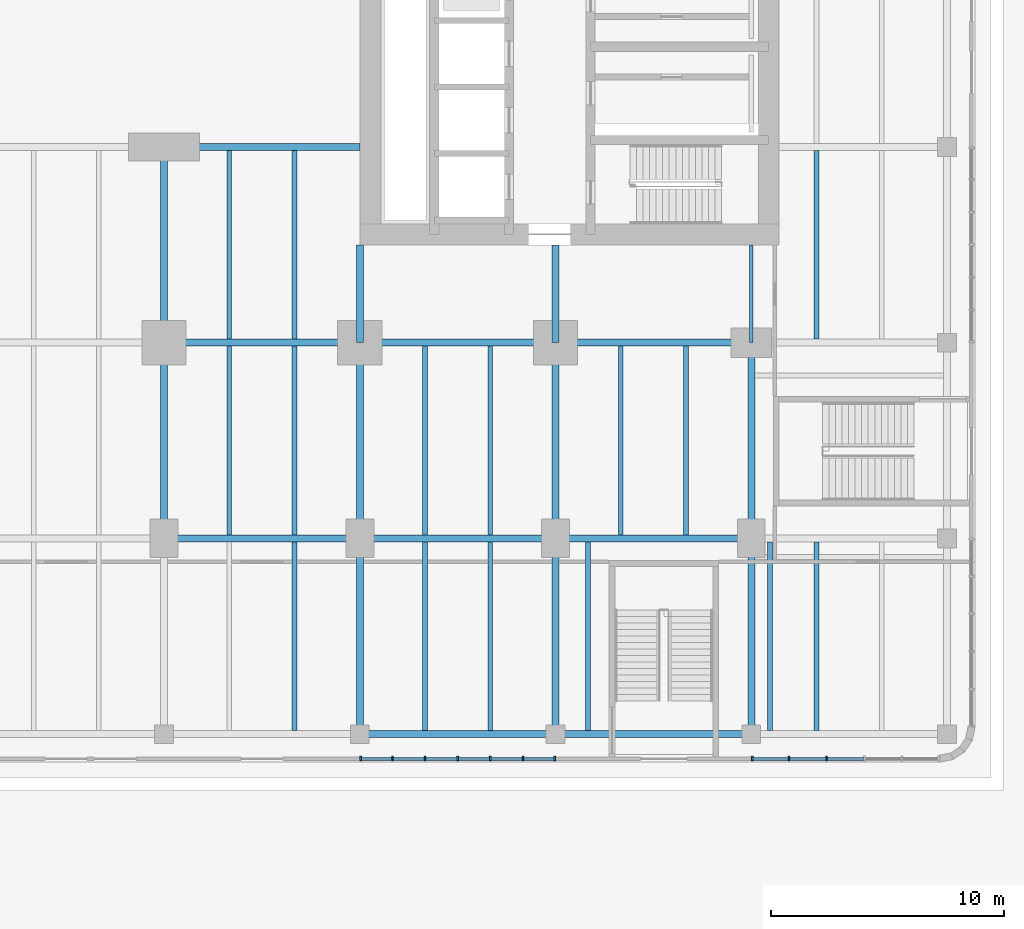
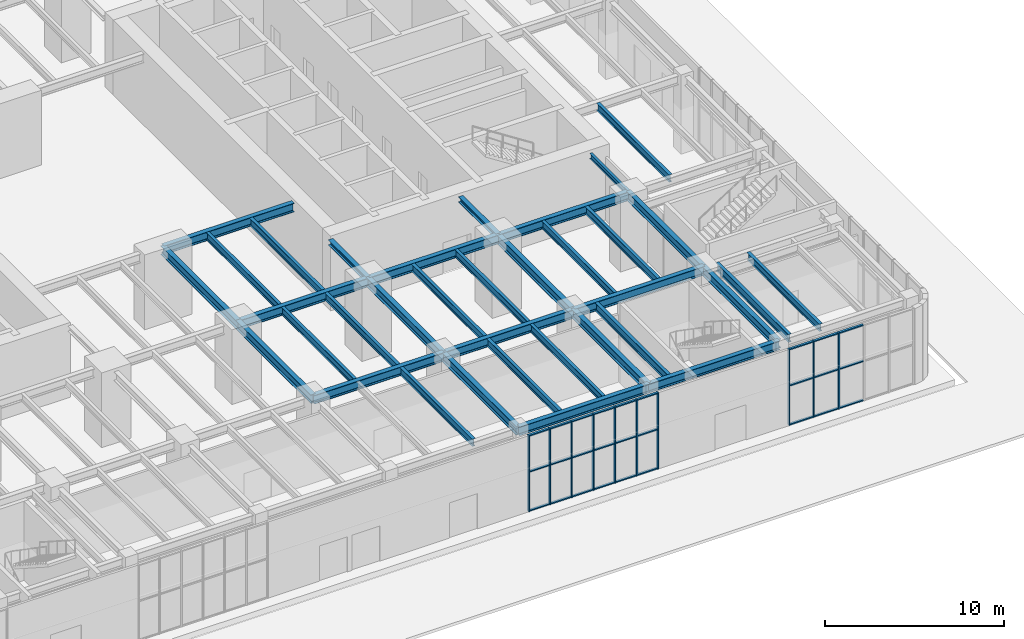
# One storey, part 5 of 31: 37 members, 35 beams, 2 elements without a shape of their own.
"""IFC4 building model written with IfcOpenShell, lengths in metres."""

import ifcopenshell
import ifcopenshell.guid

model = None  # the IFC model being written
_history = None  # IfcOwnerHistory: only IFC2X3 demands one
_inside = {}  # id of a spatial element -> (the spatial element, [elements in it])
_under = {}  # id of a project, library or spatial element -> (it, [spatial elements below it])
_declared = {}  # id of a project -> (the project, [libraries it declares])
_typed = {}  # id of a type object -> (the type object, [elements of that type])
_made_of = {}  # id of a material, layer set ... -> (it, [elements and type objects made of it])


def new_model(schema):
    """Start an empty IFC model of exactly this schema.

    Asked for "IFC4X3", IfcOpenShell would pick the latest addendum, in which some entities
    have other attributes; the version numbers below select the first issue.
    IFC2X3 requires an IfcOwnerHistory on every rooted entity: one is made here for all.
    """
    global model, _history
    if schema == "IFC4X3":
        model = ifcopenshell.file(schema_version=(4, 3, 0, 0))
    else:
        model = ifcopenshell.file(schema=schema)
    _inside.clear()
    _under.clear()
    _declared.clear()
    _typed.clear()
    _made_of.clear()
    _history = None
    if model.schema == "IFC2X3":
        org = make("IfcOrganization", Name="unknown")
        user = make(
            "IfcPersonAndOrganization",
            ThePerson=make("IfcPerson", FamilyName="unknown"),
            TheOrganization=org,
        )
        app = make(
            "IfcApplication",
            ApplicationDeveloper=org,
            Version="unknown",
            ApplicationFullName="unknown",
            ApplicationIdentifier="unknown",
        )
        _history = make(
            "IfcOwnerHistory",
            OwningUser=user,
            OwningApplication=app,
            ChangeAction="ADDED",
            CreationDate=0,
        )
    return model


def make(cls, **values):
    """One entity of the class cls with the attributes given. An attribute that is None is left unset."""
    return model.create_entity(
        cls, **{name: value for name, value in values.items() if value is not None}
    )


def rooted(cls, **values):
    """An entity with a GlobalId (a new one), such as an element, a storey or a relation."""
    return make(cls, GlobalId=ifcopenshell.guid.new(), OwnerHistory=_history, **values)


def si_unit(unit_type, name, prefix=None):
    """IfcSIUnit, for example si_unit("LENGTHUNIT", "METRE", prefix="MILLI")."""
    return make("IfcSIUnit", UnitType=unit_type, Prefix=prefix, Name=name)


def assignment(units):
    """IfcUnitAssignment: the units of a project."""
    return None if units is None else make("IfcUnitAssignment", Units=units)


def point(xyz):
    """IfcCartesianPoint."""
    return None if xyz is None else make("IfcCartesianPoint", Coordinates=xyz)


def direction(xyz):
    """IfcDirection."""
    return None if xyz is None else make("IfcDirection", DirectionRatios=xyz)


def frame(location, z_axis=None, x_axis=None):
    """IfcAxis2Placement3D, a coordinate frame: its origin and axes. An axis left out is left unset."""
    return make(
        "IfcAxis2Placement3D",
        Location=point(location),
        Axis=direction(z_axis),
        RefDirection=direction(x_axis),
    )


def frame_2d(location, x_axis=None):
    """IfcAxis2Placement2D, a coordinate frame in the plane: its origin and x axis."""
    return make(
        "IfcAxis2Placement2D", Location=point(location), RefDirection=direction(x_axis)
    )


def origin():
    """The frame at (0, 0, 0) with its axes left unset."""
    return frame((0.0, 0.0, 0.0))


def origin_2d():
    """The frame at (0, 0) in the plane with its x axis left unset."""
    return frame_2d((0.0, 0.0))


def place(relative_to, where):
    """IfcLocalPlacement: puts the frame where relative to a parent placement (None: the world)."""
    return make(
        "IfcLocalPlacement", PlacementRelTo=relative_to, RelativePlacement=where
    )


def context(
    kind, dimensions, precision=None, world=None, true_north=None, identifier=None
):
    """IfcGeometricRepresentationContext, for example the 3D "Model" context."""
    return make(
        "IfcGeometricRepresentationContext",
        ContextIdentifier=identifier,
        ContextType=kind,
        CoordinateSpaceDimension=dimensions,
        Precision=precision,
        WorldCoordinateSystem=world,
        TrueNorth=true_north,
    )


def subcontext(parent, identifier, kind, view, scale=None):
    """IfcGeometricRepresentationSubContext, for example "Body" below "Model"."""
    return make(
        "IfcGeometricRepresentationSubContext",
        ContextIdentifier=identifier,
        ContextType=kind,
        ParentContext=parent,
        TargetScale=scale,
        TargetView=view,
    )


def project(units=None, contexts=None):
    """IfcProject with its units and contexts."""
    return rooted(
        "IfcProject",
        Name="project",
        RepresentationContexts=contexts,
        UnitsInContext=assignment(units),
    )


def spatial(cls, under=None, at=None, **own):
    """A site, building, storey or space (cls), placed at a placement, below another one or the project."""
    s = rooted(cls, ObjectPlacement=at, **own)
    if under is not None:
        _under.setdefault(under.id(), (under, []))[1].append(s)
    return s


def profile(cls, at=None, kind="AREA", **sizes):
    """A parametric profile (cls). Its sizes go by their IFC names, for example OverallWidth=200.0."""
    return make(cls, ProfileType=kind, Position=at, **sizes)


def rectangle(**sizes):
    """IfcRectangleProfileDef."""
    return profile("IfcRectangleProfileDef", **sizes)


def i_section(**sizes):
    """IfcIShapeProfileDef."""
    return profile("IfcIShapeProfileDef", **sizes)


def extrude(swept, where, along, depth):
    """IfcExtrudedAreaSolid: the profile swept, set in the frame where, extruded along a direction by depth."""
    return make(
        "IfcExtrudedAreaSolid",
        SweptArea=swept,
        Position=where,
        ExtrudedDirection=direction(along),
        Depth=depth,
    )


def shape(context_of_items, identifier, shape_type, items):
    """IfcShapeRepresentation: the items that make up one representation, for example the "Body"."""
    return make(
        "IfcShapeRepresentation",
        ContextOfItems=context_of_items,
        RepresentationIdentifier=identifier,
        RepresentationType=shape_type,
        Items=items,
    )


def material(Name=None, Category=None):
    """IfcMaterial."""
    return make("IfcMaterial", Name=Name, Category=Category)


def material_profile(
    of_material, cross_section, Name=None, Category=None, Priority=None
):
    """IfcMaterialProfile: a cross section and its material."""
    return make(
        "IfcMaterialProfile",
        Name=Name,
        Material=of_material,
        Profile=cross_section,
        Priority=Priority,
        Category=Category,
    )


def profile_set(profiles, Name=None, composite=None):
    """IfcMaterialProfileSet."""
    return make(
        "IfcMaterialProfileSet",
        Name=Name,
        MaterialProfiles=profiles,
        CompositeProfile=composite,
    )


def made_of(thing, what):
    """Note that an element or type object is made of a material, layer set ...; save() writes the relation."""
    if what is not None:
        _made_of.setdefault(what.id(), (what, []))[1].append(thing)
    return thing


def type_object(cls, material=None, **own):
    """A type object (cls), such as IfcWallType, which elements share."""
    return made_of(rooted(cls, **own), material)


def element(
    cls,
    number,
    at=None,
    inside=None,
    cuts=None,
    type_object=None,
    material=None,
    context=None,
    identifier="Body",
    shape_type=None,
    held_by="IfcProductDefinitionShape",
    body=None,
    shapes=None,
    **own,
):
    """One element of the class cls, such as IfcWall. Its Tag is "e" and its number.

    at: its placement. inside: the storey or other place that contains it. cuts: it is an
    opening in that element (IfcRelVoidsElement). A single representation is given by context,
    identifier, shape_type and body (its items); several are given by shapes. held_by: the class
    of the entity that holds the representations. save() writes the other relations.
    """
    e = rooted(cls, Tag="e%d" % number, ObjectPlacement=at, **own)
    if body is not None:
        shapes = [shape(context, identifier, shape_type, body)]
    if shapes is not None:
        e.Representation = make(held_by, Representations=shapes)
    if inside is not None:
        _inside.setdefault(inside.id(), (inside, []))[1].append(e)
    if cuts is not None:
        rooted(
            "IfcRelVoidsElement", RelatingBuildingElement=cuts, RelatedOpeningElement=e
        )
    if type_object is not None:
        _typed.setdefault(type_object.id(), (type_object, []))[1].append(e)
    return made_of(e, material)


def aggregate(whole, parts):
    """IfcRelAggregates: a whole, such as a stair, and the parts it consists of."""
    return rooted("IfcRelAggregates", RelatingObject=whole, RelatedObjects=parts)


def save(model, path):
    """Write the relations noted so far, then the file.

    IfcRelAggregates (storeys below a building ...), IfcRelContainedInSpatialStructure (elements
    in a storey), IfcRelDefinesByType, IfcRelAssociatesMaterial and IfcRelDeclares: one each for
    every whole, place, type object, material and project.
    """
    for whole, parts in _under.values():
        aggregate(whole, parts)
    for where, things in _inside.values():
        rooted(
            "IfcRelContainedInSpatialStructure",
            RelatedElements=things,
            RelatingStructure=where,
        )
    for kind, things in _typed.values():
        rooted("IfcRelDefinesByType", RelatedObjects=things, RelatingType=kind)
    for what, things in _made_of.values():
        rooted("IfcRelAssociatesMaterial", RelatedObjects=things, RelatingMaterial=what)
    for by, libraries in _declared.values():
        rooted("IfcRelDeclares", RelatingContext=by, RelatedDefinitions=libraries)
    model.write(path)


model = new_model("IFC4")

# Units and contexts
model_context = context("Model", 3, precision=1e-05, world=origin(), true_north=direction((0.0, 1.0)))
body_context = subcontext(model_context, "Body", "Model", "MODEL_VIEW")
ifc_project = project(units=[si_unit("LENGTHUNIT", "METRE"), si_unit("AREAUNIT", "SQUARE_METRE"), si_unit("VOLUMEUNIT", "CUBIC_METRE"), si_unit("PLANEANGLEUNIT", "RADIAN"), si_unit("MASSUNIT", "GRAM", prefix="KILO")], contexts=[model_context])

# Site, building, storey
site_placement = place(None, origin())
site = spatial("IfcSite", under=ifc_project, at=site_placement, CompositionType="ELEMENT")
building_placement = place(site_placement, origin())
building = spatial("IfcBuilding", under=site, at=building_placement, Name="Claustro Exchange Tower", CompositionType="ELEMENT")
storey_placement = place(building_placement, origin())
storey = spatial("IfcBuildingStorey", under=building, at=storey_placement, Name="L00", CompositionType="ELEMENT", Elevation=0.0)

# Beams
ifc_material_1 = material(Name="Steel S355", Category="steel")
ifc_material_profile_1 = material_profile(ifc_material_1, i_section(OverallWidth=0.300048828125, OverallDepth=0.60009765625, WebThickness=0.015380859375, FlangeThickness=0.030029296875, FilletRadius=0.027099609375, at=origin_2d()), Name="HE 600 B")
ifc_profile_set_1 = profile_set([ifc_material_profile_1], Name="Steel S355")
beam_type_1 = type_object("IfcBeamType", Name="B1 HE 600 B floor girder", PredefinedType="BEAM", material=ifc_profile_set_1)
beam_1_placement = place(storey_placement, frame((25.199951171875, 0.0, 4.89990234375), z_axis=(0.0, 1.0, 0.0), x_axis=(-1.0, 0.0, 0.0)))
element("IfcBeam", 1, at=beam_1_placement, inside=storey, type_object=beam_type_1, Name="Beam B1 L01", PredefinedType="BEAM", context=body_context, shape_type="SweptSolid", body=[
    extrude(i_section(OverallWidth=0.300048828125, OverallDepth=0.60009765625, WebThickness=0.015380859375, FlangeThickness=0.030029296875, FilletRadius=0.027099609375, at=origin_2d()), origin(), (0.0, 0.0, 1.0), 8.39990234375),
])
beam_2_placement = place(storey_placement, frame((25.199951171875, 8.39990234375, 4.89990234375), z_axis=(0.0, 1.0, 0.0), x_axis=(-1.0, 0.0, 0.0)))
element("IfcBeam", 2, at=beam_2_placement, inside=storey, type_object=beam_type_1, Name="Beam B1 L01", PredefinedType="BEAM", context=body_context, shape_type="SweptSolid", body=[
    extrude(i_section(OverallWidth=0.300048828125, OverallDepth=0.60009765625, WebThickness=0.015380859375, FlangeThickness=0.030029296875, FilletRadius=0.027099609375, at=origin_2d()), origin(), (0.0, 0.0, 1.0), 8.400146484375),
])
for number, where, z_axis, x_axis, name in (
    (3, (33.60009765625, -8.39990234375, 4.89990234375), (0.0, 1.0, 0.0), (-1.0, 0.0, 0.0), "Beam B1 L01"),
    (4, (33.60009765625, 0.0, 4.89990234375), (0.0, 1.0, 0.0), (-1.0, 0.0, 0.0), "Beam B1 L01"),
    (5, (42.0, -8.39990234375, 4.89990234375), (0.0, 1.0, 0.0), (-1.0, 0.0, 0.0), "Beam B1 L01"),
    (6, (42.0, 0.0, 4.89990234375), (0.0, 1.0, 0.0), (-1.0, 0.0, 0.0), "Beam B1 L01"),
    (7, (50.39990234375, -8.39990234375, 4.89990234375), (0.0, 1.0, 0.0), (-1.0, 0.0, 0.0), "Beam B1 L01"),
    (8, (50.39990234375, 0.0, 4.89990234375), (0.0, 1.0, 0.0), (-1.0, 0.0, 0.0), "Beam B1 L01"),
    (9, (33.60009765625, -8.39990234375, 4.89990234375), (1.0, 0.0, 0.0), (0.0, 1.0, 0.0), "Beam B1 L01"),
    (10, (42.0, -8.39990234375, 4.89990234375), (1.0, 0.0, 0.0), (0.0, 1.0, 0.0), "Beam B1 L01"),
):
    element("IfcBeam", number, at=place(storey_placement, frame(where, z_axis=z_axis, x_axis=x_axis)), inside=storey, type_object=beam_type_1, Name=name, PredefinedType="BEAM", context=body_context, shape_type="SweptSolid", body=[
        extrude(i_section(OverallWidth=0.300048828125, OverallDepth=0.60009765625, WebThickness=0.015380859375, FlangeThickness=0.030029296875, FilletRadius=0.027099609375, at=origin_2d()), origin(), (0.0, 0.0, 1.0), 8.39990234375),
    ])
beam_3_placement = place(storey_placement, frame((25.199951171875, 0.0, 4.89990234375), z_axis=(1.0, 0.0, 0.0), x_axis=(0.0, 1.0, 0.0)))
element("IfcBeam", 11, at=beam_3_placement, inside=storey, type_object=beam_type_1, Name="Beam B1 L01", PredefinedType="BEAM", context=body_context, shape_type="SweptSolid", body=[
    extrude(i_section(OverallWidth=0.300048828125, OverallDepth=0.60009765625, WebThickness=0.015380859375, FlangeThickness=0.030029296875, FilletRadius=0.027099609375, at=origin_2d()), origin(), (0.0, 0.0, 1.0), 8.400146484375),
])
for number, where, z_axis, x_axis, name in (
    (12, (33.60009765625, 0.0, 4.89990234375), (1.0, 0.0, 0.0), (0.0, 1.0, 0.0), "Beam B1 L01"),
    (13, (42.0, 0.0, 4.89990234375), (1.0, 0.0, 0.0), (0.0, 1.0, 0.0), "Beam B1 L01"),
):
    element("IfcBeam", number, at=place(storey_placement, frame(where, z_axis=z_axis, x_axis=x_axis)), inside=storey, type_object=beam_type_1, Name=name, PredefinedType="BEAM", context=body_context, shape_type="SweptSolid", body=[
        extrude(i_section(OverallWidth=0.300048828125, OverallDepth=0.60009765625, WebThickness=0.015380859375, FlangeThickness=0.030029296875, FilletRadius=0.027099609375, at=origin_2d()), origin(), (0.0, 0.0, 1.0), 8.39990234375),
    ])
beam_4_placement = place(storey_placement, frame((25.199951171875, 8.39990234375, 4.89990234375), z_axis=(1.0, 0.0, 0.0), x_axis=(0.0, 1.0, 0.0)))
element("IfcBeam", 14, at=beam_4_placement, inside=storey, type_object=beam_type_1, Name="Beam B1 L01", PredefinedType="BEAM", context=body_context, shape_type="SweptSolid", body=[
    extrude(i_section(OverallWidth=0.300048828125, OverallDepth=0.60009765625, WebThickness=0.015380859375, FlangeThickness=0.030029296875, FilletRadius=0.027099609375, at=origin_2d()), origin(), (0.0, 0.0, 1.0), 8.400146484375),
])
for number, where, z_axis, x_axis, name in (
    (15, (33.60009765625, 8.39990234375, 4.89990234375), (1.0, 0.0, 0.0), (0.0, 1.0, 0.0), "Beam B1 L01"),
    (16, (42.0, 8.39990234375, 4.89990234375), (1.0, 0.0, 0.0), (0.0, 1.0, 0.0), "Beam B1 L01"),
):
    element("IfcBeam", number, at=place(storey_placement, frame(where, z_axis=z_axis, x_axis=x_axis)), inside=storey, type_object=beam_type_1, Name=name, PredefinedType="BEAM", context=body_context, shape_type="SweptSolid", body=[
        extrude(i_section(OverallWidth=0.300048828125, OverallDepth=0.60009765625, WebThickness=0.015380859375, FlangeThickness=0.030029296875, FilletRadius=0.027099609375, at=origin_2d()), origin(), (0.0, 0.0, 1.0), 8.39990234375),
    ])
beam_5_placement = place(storey_placement, frame((25.199951171875, 16.800048828125, 4.89990234375), z_axis=(1.0, 0.0, 0.0), x_axis=(0.0, 1.0, 0.0)))
element("IfcBeam", 17, at=beam_5_placement, inside=storey, type_object=beam_type_1, Name="Beam B1 L01", PredefinedType="BEAM", context=body_context, shape_type="SweptSolid", body=[
    extrude(i_section(OverallWidth=0.300048828125, OverallDepth=0.60009765625, WebThickness=0.015380859375, FlangeThickness=0.030029296875, FilletRadius=0.027099609375, at=origin_2d()), origin(), (0.0, 0.0, 1.0), 8.400146484375),
])
ifc_material_2 = material(Name="Steel S355", Category="steel")
ifc_material_profile_2 = material_profile(ifc_material_2, i_section(OverallWidth=0.169921875, OverallDepth=0.360107421875, WebThickness=0.008056640625, FlangeThickness=0.0126953125, FilletRadius=0.01806640625, at=origin_2d()), Name="IPE 360")
ifc_profile_set_2 = profile_set([ifc_material_profile_2], Name="Steel S355")
beam_type_2 = type_object("IfcBeamType", Name="B16 IPE 360 short-span beam", PredefinedType="BEAM", material=ifc_profile_set_2)
beam_6_placement = place(storey_placement, frame((50.39990234375, 8.39990234375, 5.02001953125), z_axis=(0.0, 1.0, 0.0), x_axis=(-1.0, 0.0, 0.0)))
element("IfcBeam", 18, at=beam_6_placement, inside=storey, type_object=beam_type_2, Name="Beam B16 L01", PredefinedType="BEAM", context=body_context, shape_type="SweptSolid", body=[
    extrude(i_section(OverallWidth=0.169921875, OverallDepth=0.360107421875, WebThickness=0.008056640625, FlangeThickness=0.0126953125, FilletRadius=0.01806640625, at=origin_2d()), origin(), (0.0, 0.0, 1.0), 4.2001953125),
])
ifc_material_3 = material(Name="Steel S355", Category="steel")
ifc_material_profile_3 = material_profile(ifc_material_3, i_section(OverallWidth=0.199951171875, OverallDepth=0.5, WebThickness=0.01025390625, FlangeThickness=0.01611328125, FilletRadius=0.02099609375, at=origin_2d()), Name="IPE 500")
ifc_profile_set_3 = profile_set([ifc_material_profile_3], Name="Steel S355")
beam_type_3 = type_object("IfcBeamType", Name="B2 IPE 500 secondary beam", PredefinedType="BEAM", material=ifc_profile_set_3)
for number, where, z_axis, x_axis, name in (
    (19, (30.800048828125, -8.25, 4.949951171875), (0.0, 1.0, 0.0), (-1.0, 0.0, 0.0), "Beam B2 L01"),
    (20, (28.0, 0.14990234375, 4.949951171875), (0.0, 1.0, 0.0), (-1.0, 0.0, 0.0), "Beam B2 L01"),
    (21, (30.800048828125, 0.14990234375, 4.949951171875), (0.0, 1.0, 0.0), (-1.0, 0.0, 0.0), "Beam B2 L01"),
):
    element("IfcBeam", number, at=place(storey_placement, frame(where, z_axis=z_axis, x_axis=x_axis)), inside=storey, type_object=beam_type_3, Name=name, PredefinedType="BEAM", context=body_context, shape_type="SweptSolid", body=[
        extrude(i_section(OverallWidth=0.199951171875, OverallDepth=0.5, WebThickness=0.01025390625, FlangeThickness=0.01611328125, FilletRadius=0.02099609375, at=origin_2d()), origin(), (0.0, 0.0, 1.0), 8.10009765625),
    ])
for number, where, z_axis, x_axis, name in (
    (22, (28.0, 8.550048828125, 4.949951171875), (0.0, 1.0, 0.0), (-1.0, 0.0, 0.0), "Beam B2 L01"),
    (23, (30.800048828125, 8.550048828125, 4.949951171875), (0.0, 1.0, 0.0), (-1.0, 0.0, 0.0), "Beam B2 L01"),
):
    element("IfcBeam", number, at=place(storey_placement, frame(where, z_axis=z_axis, x_axis=x_axis)), inside=storey, type_object=beam_type_3, Name=name, PredefinedType="BEAM", context=body_context, shape_type="SweptSolid", body=[
        extrude(i_section(OverallWidth=0.199951171875, OverallDepth=0.5, WebThickness=0.01025390625, FlangeThickness=0.01611328125, FilletRadius=0.02099609375, at=origin_2d()), origin(), (0.0, 0.0, 1.0), 8.099853515625),
    ])
for number, where, z_axis, x_axis, name in (
    (24, (36.39990234375, -8.25, 4.949951171875), (0.0, 1.0, 0.0), (-1.0, 0.0, 0.0), "Beam B2 L01"),
    (25, (39.199951171875, -8.25, 4.949951171875), (0.0, 1.0, 0.0), (-1.0, 0.0, 0.0), "Beam B2 L01"),
    (26, (36.39990234375, 0.14990234375, 4.949951171875), (0.0, 1.0, 0.0), (-1.0, 0.0, 0.0), "Beam B2 L01"),
    (27, (39.199951171875, 0.14990234375, 4.949951171875), (0.0, 1.0, 0.0), (-1.0, 0.0, 0.0), "Beam B2 L01"),
    (28, (44.800048828125, 0.14990234375, 4.949951171875), (0.0, 1.0, 0.0), (-1.0, 0.0, 0.0), "Beam B2 L01"),
    (29, (47.60009765625, 0.14990234375, 4.949951171875), (0.0, 1.0, 0.0), (-1.0, 0.0, 0.0), "Beam B2 L01"),
    (30, (53.199951171875, -8.25, 4.949951171875), (0.0, 1.0, 0.0), (-1.0, 0.0, 0.0), "Beam B2 L01"),
):
    element("IfcBeam", number, at=place(storey_placement, frame(where, z_axis=z_axis, x_axis=x_axis)), inside=storey, type_object=beam_type_3, Name=name, PredefinedType="BEAM", context=body_context, shape_type="SweptSolid", body=[
        extrude(i_section(OverallWidth=0.199951171875, OverallDepth=0.5, WebThickness=0.01025390625, FlangeThickness=0.01611328125, FilletRadius=0.02099609375, at=origin_2d()), origin(), (0.0, 0.0, 1.0), 8.10009765625),
    ])
beam_7_placement = place(storey_placement, frame((53.199951171875, 8.550048828125, 4.949951171875), z_axis=(0.0, 1.0, 0.0), x_axis=(-1.0, 0.0, 0.0)))
element("IfcBeam", 31, at=beam_7_placement, inside=storey, type_object=beam_type_3, Name="Beam B2 L01", PredefinedType="BEAM", context=body_context, shape_type="SweptSolid", body=[
    extrude(i_section(OverallWidth=0.199951171875, OverallDepth=0.5, WebThickness=0.01025390625, FlangeThickness=0.01611328125, FilletRadius=0.02099609375, at=origin_2d()), origin(), (0.0, 0.0, 1.0), 8.099853515625),
])
ifc_material_4 = material(Name="Steel S355", Category="steel")
ifc_material_profile_4 = material_profile(ifc_material_4, i_section(OverallWidth=0.2099609375, OverallDepth=0.550048828125, WebThickness=0.010986328125, FlangeThickness=0.01708984375, FilletRadius=0.02392578125, at=origin_2d()), Name="IPE 550")
ifc_profile_set_4 = profile_set([ifc_material_profile_4], Name="Steel S355")
beam_type_4 = type_object("IfcBeamType", Name="B28 IPE 550 podium stair trimmer", PredefinedType="BEAM", material=ifc_profile_set_4)
for number, where, z_axis, x_axis, name in (
    (32, (43.39990234375, -8.25, 4.925048828125), (0.0, 1.0, 0.0), (-1.0, 0.0, 0.0), "Beam B28 trimmer STP2 L01"),
    (33, (51.199951171875, -8.25, 4.925048828125), (0.0, 1.0, 0.0), (-1.0, 0.0, 0.0), "Beam B28 trimmer STP2 L01"),
):
    element("IfcBeam", number, at=place(storey_placement, frame(where, z_axis=z_axis, x_axis=x_axis)), inside=storey, type_object=beam_type_4, Name=name, PredefinedType="BEAM", context=body_context, shape_type="SweptSolid", body=[
        extrude(i_section(OverallWidth=0.2099609375, OverallDepth=0.550048828125, WebThickness=0.010986328125, FlangeThickness=0.01708984375, FilletRadius=0.02392578125, at=origin_2d()), origin(), (0.0, 0.0, 1.0), 8.10009765625),
    ])
ifc_material_5 = material(Name="Steel S355", Category="steel")
ifc_material_profile_5 = material_profile(ifc_material_5, i_section(OverallWidth=0.300048828125, OverallDepth=0.360107421875, WebThickness=0.012451171875, FlangeThickness=0.0224609375, FilletRadius=0.027099609375, at=origin_2d()), Name="HE 360 B")
ifc_profile_set_5 = profile_set([ifc_material_profile_5], Name="Steel S355")
beam_type_5 = type_object("IfcBeamType", Name="B29 HE 360 B column to core link beam", PredefinedType="BEAM", material=ifc_profile_set_5)
for number, where, z_axis, x_axis, name in (
    (34, (33.60009765625, 8.39990234375, 5.02001953125), (0.0, 1.0, 0.0), (-1.0, 0.0, 0.0), "Beam B29 L01"),
    (35, (42.0, 8.39990234375, 5.02001953125), (0.0, 1.0, 0.0), (-1.0, 0.0, 0.0), "Beam B29 L01"),
):
    element("IfcBeam", number, at=place(storey_placement, frame(where, z_axis=z_axis, x_axis=x_axis)), inside=storey, type_object=beam_type_5, Name=name, PredefinedType="BEAM", context=body_context, shape_type="SweptSolid", body=[
        extrude(i_section(OverallWidth=0.300048828125, OverallDepth=0.360107421875, WebThickness=0.012451171875, FlangeThickness=0.0224609375, FilletRadius=0.027099609375, at=origin_2d()), origin(), (0.0, 0.0, 1.0), 4.2001953125),
    ])

# Curtain wall, members
ifc_material_6 = material(Name="Aluminium frame, clear double glazing", Category="aluminium")
curtain_wall_type = type_object("IfcCurtainWallType", Name="CW1 storefront curtain wall", PredefinedType="USERDEFINED", material=ifc_material_6)
curtain_wall_1_placement = place(storey_placement, origin())
curtain_wall_1 = element("IfcCurtainWall", 36, at=curtain_wall_1_placement, inside=storey, type_object=curtain_wall_type, Name="Curtain wall CW1 L00", ObjectType="STICK CURTAIN WALL", PredefinedType="USERDEFINED")
ifc_material_7 = material(Name="Aluminium mullion", Category="aluminium")
ifc_material_profile_6 = material_profile(ifc_material_7, rectangle(XDim=0.199951171875, YDim=0.074951171875, at=origin_2d()), Name="CW1-M 75x200")
ifc_profile_set_6 = profile_set([ifc_material_profile_6], Name="Aluminium mullion")
member_type_1 = type_object("IfcMemberType", Name="CW1-M 75 x 200 mullion", PredefinedType="MULLION", material=ifc_profile_set_6)
member_1_placement = place(storey_placement, frame((33.637451171875, -9.449951171875, 0.0), z_axis=(0.0, 0.0, 1.0), x_axis=(0.0, 1.0, 0.0)))
member_1 = element("IfcMember", 37, at=member_1_placement, type_object=member_type_1, Name="CW1 mullion 1", PredefinedType="MULLION", context=body_context, shape_type="SweptSolid", body=[
    extrude(rectangle(XDim=0.199951171875, YDim=0.074951171875, at=origin_2d()), origin(), (0.0, 0.0, 1.0), 5.199951171875),
])
member_2_placement = place(storey_placement, frame((35.0, -9.449951171875, 0.0), z_axis=(0.0, 0.0, 1.0), x_axis=(0.0, 1.0, 0.0)))
member_2 = element("IfcMember", 38, at=member_2_placement, type_object=member_type_1, Name="CW1 mullion 2", PredefinedType="MULLION", context=body_context, shape_type="SweptSolid", body=[
    extrude(rectangle(XDim=0.199951171875, YDim=0.074951171875, at=origin_2d()), origin(), (0.0, 0.0, 1.0), 5.199951171875),
])
member_3_placement = place(storey_placement, frame((36.39990234375, -9.449951171875, 0.0), z_axis=(0.0, 0.0, 1.0), x_axis=(0.0, 1.0, 0.0)))
member_3 = element("IfcMember", 39, at=member_3_placement, type_object=member_type_1, Name="CW1 mullion 3", PredefinedType="MULLION", context=body_context, shape_type="SweptSolid", body=[
    extrude(rectangle(XDim=0.199951171875, YDim=0.074951171875, at=origin_2d()), origin(), (0.0, 0.0, 1.0), 5.199951171875),
])
member_4_placement = place(storey_placement, frame((37.800048828125, -9.449951171875, 0.0), z_axis=(0.0, 0.0, 1.0), x_axis=(0.0, 1.0, 0.0)))
member_4 = element("IfcMember", 40, at=member_4_placement, type_object=member_type_1, Name="CW1 mullion 4", PredefinedType="MULLION", context=body_context, shape_type="SweptSolid", body=[
    extrude(rectangle(XDim=0.199951171875, YDim=0.074951171875, at=origin_2d()), origin(), (0.0, 0.0, 1.0), 5.199951171875),
])
member_5_placement = place(storey_placement, frame((39.199951171875, -9.449951171875, 0.0), z_axis=(0.0, 0.0, 1.0), x_axis=(0.0, 1.0, 0.0)))
member_5 = element("IfcMember", 41, at=member_5_placement, type_object=member_type_1, Name="CW1 mullion 5", PredefinedType="MULLION", context=body_context, shape_type="SweptSolid", body=[
    extrude(rectangle(XDim=0.199951171875, YDim=0.074951171875, at=origin_2d()), origin(), (0.0, 0.0, 1.0), 5.199951171875),
])
member_6_placement = place(storey_placement, frame((40.60009765625, -9.449951171875, 0.0), z_axis=(0.0, 0.0, 1.0), x_axis=(0.0, 1.0, 0.0)))
member_6 = element("IfcMember", 42, at=member_6_placement, type_object=member_type_1, Name="CW1 mullion 6", PredefinedType="MULLION", context=body_context, shape_type="SweptSolid", body=[
    extrude(rectangle(XDim=0.199951171875, YDim=0.074951171875, at=origin_2d()), origin(), (0.0, 0.0, 1.0), 5.199951171875),
])
member_7_placement = place(storey_placement, frame((41.96240234375, -9.449951171875, 0.0), z_axis=(0.0, 0.0, 1.0), x_axis=(0.0, 1.0, 0.0)))
member_7 = element("IfcMember", 43, at=member_7_placement, type_object=member_type_1, Name="CW1 mullion 7", PredefinedType="MULLION", context=body_context, shape_type="SweptSolid", body=[
    extrude(rectangle(XDim=0.199951171875, YDim=0.074951171875, at=origin_2d()), origin(), (0.0, 0.0, 1.0), 5.199951171875),
])

curtain_wall_2_placement = place(storey_placement, origin())
curtain_wall_2 = element("IfcCurtainWall", 44, at=curtain_wall_2_placement, inside=storey, type_object=curtain_wall_type, Name="Curtain wall CW1 L00", ObjectType="STICK CURTAIN WALL", PredefinedType="USERDEFINED")
member_8_placement = place(storey_placement, frame((50.4375, -9.449951171875, 0.0), z_axis=(0.0, 0.0, 1.0), x_axis=(0.0, 1.0, 0.0)))
member_8 = element("IfcMember", 45, at=member_8_placement, type_object=member_type_1, Name="CW1 mullion 1", PredefinedType="MULLION", context=body_context, shape_type="SweptSolid", body=[
    extrude(rectangle(XDim=0.199951171875, YDim=0.074951171875, at=origin_2d()), origin(), (0.0, 0.0, 1.0), 5.199951171875),
])
member_9_placement = place(storey_placement, frame((52.01708984375, -9.449951171875, 0.0), z_axis=(0.0, 0.0, 1.0), x_axis=(0.0, 1.0, 0.0)))
member_9 = element("IfcMember", 46, at=member_9_placement, type_object=member_type_1, Name="CW1 mullion 2", PredefinedType="MULLION", context=body_context, shape_type="SweptSolid", body=[
    extrude(rectangle(XDim=0.199951171875, YDim=0.074951171875, at=origin_2d()), origin(), (0.0, 0.0, 1.0), 5.199951171875),
])
member_10_placement = place(storey_placement, frame((53.634033203125, -9.449951171875, 0.0), z_axis=(0.0, 0.0, 1.0), x_axis=(0.0, 1.0, 0.0)))
member_10 = element("IfcMember", 47, at=member_10_placement, type_object=member_type_1, Name="CW1 mullion 3", PredefinedType="MULLION", context=body_context, shape_type="SweptSolid", body=[
    extrude(rectangle(XDim=0.199951171875, YDim=0.074951171875, at=origin_2d()), origin(), (0.0, 0.0, 1.0), 5.199951171875),
])

# Member
ifc_material_8 = material(Name="Aluminium transom", Category="aluminium")
ifc_material_profile_7 = material_profile(ifc_material_8, rectangle(XDim=0.14990234375, YDim=0.074951171875, at=origin_2d()), Name="CW1-T 75x150")
ifc_profile_set_7 = profile_set([ifc_material_profile_7], Name="Aluminium transom")
member_type_2 = type_object("IfcMemberType", Name="CW1-T 75 x 150 transom", PredefinedType="USERDEFINED", material=ifc_profile_set_7)
member_11_placement = place(storey_placement, frame((33.675048828125, -9.449951171875, 0.03759765625), z_axis=(1.0, 0.0, 0.0), x_axis=(0.0, 1.0, 0.0)))
member_11 = element("IfcMember", 48, at=member_11_placement, type_object=member_type_2, Name="CW1 transom 1.1", ObjectType="TRANSOM", PredefinedType="USERDEFINED", context=body_context, shape_type="SweptSolid", body=[
    extrude(rectangle(XDim=0.14990234375, YDim=0.074951171875, at=origin_2d()), origin(), (0.0, 0.0, 1.0), 1.287353515625),
])

member_12_placement = place(storey_placement, frame((33.675048828125, -9.449951171875, 2.699951171875), z_axis=(1.0, 0.0, 0.0), x_axis=(0.0, 1.0, 0.0)))
member_12 = element("IfcMember", 49, at=member_12_placement, type_object=member_type_2, Name="CW1 transom 1.2", ObjectType="TRANSOM", PredefinedType="USERDEFINED", context=body_context, shape_type="SweptSolid", body=[
    extrude(rectangle(XDim=0.14990234375, YDim=0.074951171875, at=origin_2d()), origin(), (0.0, 0.0, 1.0), 1.287353515625),
])

member_13_placement = place(storey_placement, frame((33.675048828125, -9.449951171875, 5.16259765625), z_axis=(1.0, 0.0, 0.0), x_axis=(0.0, 1.0, 0.0)))
member_13 = element("IfcMember", 50, at=member_13_placement, type_object=member_type_2, Name="CW1 transom 1.3", ObjectType="TRANSOM", PredefinedType="USERDEFINED", context=body_context, shape_type="SweptSolid", body=[
    extrude(rectangle(XDim=0.14990234375, YDim=0.074951171875, at=origin_2d()), origin(), (0.0, 0.0, 1.0), 1.287353515625),
])

member_14_placement = place(storey_placement, frame((35.03759765625, -9.449951171875, 0.03759765625), z_axis=(1.0, 0.0, 0.0), x_axis=(0.0, 1.0, 0.0)))
member_14 = element("IfcMember", 51, at=member_14_placement, type_object=member_type_2, Name="CW1 transom 2.1", ObjectType="TRANSOM", PredefinedType="USERDEFINED", context=body_context, shape_type="SweptSolid", body=[
    extrude(rectangle(XDim=0.14990234375, YDim=0.074951171875, at=origin_2d()), origin(), (0.0, 0.0, 1.0), 1.324951171875),
])

member_15_placement = place(storey_placement, frame((35.03759765625, -9.449951171875, 2.699951171875), z_axis=(1.0, 0.0, 0.0), x_axis=(0.0, 1.0, 0.0)))
member_15 = element("IfcMember", 52, at=member_15_placement, type_object=member_type_2, Name="CW1 transom 2.2", ObjectType="TRANSOM", PredefinedType="USERDEFINED", context=body_context, shape_type="SweptSolid", body=[
    extrude(rectangle(XDim=0.14990234375, YDim=0.074951171875, at=origin_2d()), origin(), (0.0, 0.0, 1.0), 1.324951171875),
])

member_16_placement = place(storey_placement, frame((35.03759765625, -9.449951171875, 5.16259765625), z_axis=(1.0, 0.0, 0.0), x_axis=(0.0, 1.0, 0.0)))
member_16 = element("IfcMember", 53, at=member_16_placement, type_object=member_type_2, Name="CW1 transom 2.3", ObjectType="TRANSOM", PredefinedType="USERDEFINED", context=body_context, shape_type="SweptSolid", body=[
    extrude(rectangle(XDim=0.14990234375, YDim=0.074951171875, at=origin_2d()), origin(), (0.0, 0.0, 1.0), 1.324951171875),
])

member_17_placement = place(storey_placement, frame((36.4375, -9.449951171875, 0.03759765625), z_axis=(1.0, 0.0, 0.0), x_axis=(0.0, 1.0, 0.0)))
member_17 = element("IfcMember", 54, at=member_17_placement, type_object=member_type_2, Name="CW1 transom 3.1", ObjectType="TRANSOM", PredefinedType="USERDEFINED", context=body_context, shape_type="SweptSolid", body=[
    extrude(rectangle(XDim=0.14990234375, YDim=0.074951171875, at=origin_2d()), origin(), (0.0, 0.0, 1.0), 1.324951171875),
])

member_18_placement = place(storey_placement, frame((36.4375, -9.449951171875, 2.699951171875), z_axis=(1.0, 0.0, 0.0), x_axis=(0.0, 1.0, 0.0)))
member_18 = element("IfcMember", 55, at=member_18_placement, type_object=member_type_2, Name="CW1 transom 3.2", ObjectType="TRANSOM", PredefinedType="USERDEFINED", context=body_context, shape_type="SweptSolid", body=[
    extrude(rectangle(XDim=0.14990234375, YDim=0.074951171875, at=origin_2d()), origin(), (0.0, 0.0, 1.0), 1.324951171875),
])

member_19_placement = place(storey_placement, frame((36.4375, -9.449951171875, 5.16259765625), z_axis=(1.0, 0.0, 0.0), x_axis=(0.0, 1.0, 0.0)))
member_19 = element("IfcMember", 56, at=member_19_placement, type_object=member_type_2, Name="CW1 transom 3.3", ObjectType="TRANSOM", PredefinedType="USERDEFINED", context=body_context, shape_type="SweptSolid", body=[
    extrude(rectangle(XDim=0.14990234375, YDim=0.074951171875, at=origin_2d()), origin(), (0.0, 0.0, 1.0), 1.324951171875),
])

member_20_placement = place(storey_placement, frame((37.83740234375, -9.449951171875, 0.03759765625), z_axis=(1.0, 0.0, 0.0), x_axis=(0.0, 1.0, 0.0)))
member_20 = element("IfcMember", 57, at=member_20_placement, type_object=member_type_2, Name="CW1 transom 4.1", ObjectType="TRANSOM", PredefinedType="USERDEFINED", context=body_context, shape_type="SweptSolid", body=[
    extrude(rectangle(XDim=0.14990234375, YDim=0.074951171875, at=origin_2d()), origin(), (0.0, 0.0, 1.0), 1.3251953125),
])

member_21_placement = place(storey_placement, frame((37.83740234375, -9.449951171875, 2.699951171875), z_axis=(1.0, 0.0, 0.0), x_axis=(0.0, 1.0, 0.0)))
member_21 = element("IfcMember", 58, at=member_21_placement, type_object=member_type_2, Name="CW1 transom 4.2", ObjectType="TRANSOM", PredefinedType="USERDEFINED", context=body_context, shape_type="SweptSolid", body=[
    extrude(rectangle(XDim=0.14990234375, YDim=0.074951171875, at=origin_2d()), origin(), (0.0, 0.0, 1.0), 1.3251953125),
])

member_22_placement = place(storey_placement, frame((37.83740234375, -9.449951171875, 5.16259765625), z_axis=(1.0, 0.0, 0.0), x_axis=(0.0, 1.0, 0.0)))
member_22 = element("IfcMember", 59, at=member_22_placement, type_object=member_type_2, Name="CW1 transom 4.3", ObjectType="TRANSOM", PredefinedType="USERDEFINED", context=body_context, shape_type="SweptSolid", body=[
    extrude(rectangle(XDim=0.14990234375, YDim=0.074951171875, at=origin_2d()), origin(), (0.0, 0.0, 1.0), 1.3251953125),
])

member_23_placement = place(storey_placement, frame((39.237548828125, -9.449951171875, 0.03759765625), z_axis=(1.0, 0.0, 0.0), x_axis=(0.0, 1.0, 0.0)))
member_23 = element("IfcMember", 60, at=member_23_placement, type_object=member_type_2, Name="CW1 transom 5.1", ObjectType="TRANSOM", PredefinedType="USERDEFINED", context=body_context, shape_type="SweptSolid", body=[
    extrude(rectangle(XDim=0.14990234375, YDim=0.074951171875, at=origin_2d()), origin(), (0.0, 0.0, 1.0), 1.324951171875),
])

member_24_placement = place(storey_placement, frame((39.237548828125, -9.449951171875, 2.699951171875), z_axis=(1.0, 0.0, 0.0), x_axis=(0.0, 1.0, 0.0)))
member_24 = element("IfcMember", 61, at=member_24_placement, type_object=member_type_2, Name="CW1 transom 5.2", ObjectType="TRANSOM", PredefinedType="USERDEFINED", context=body_context, shape_type="SweptSolid", body=[
    extrude(rectangle(XDim=0.14990234375, YDim=0.074951171875, at=origin_2d()), origin(), (0.0, 0.0, 1.0), 1.324951171875),
])

member_25_placement = place(storey_placement, frame((39.237548828125, -9.449951171875, 5.16259765625), z_axis=(1.0, 0.0, 0.0), x_axis=(0.0, 1.0, 0.0)))
member_25 = element("IfcMember", 62, at=member_25_placement, type_object=member_type_2, Name="CW1 transom 5.3", ObjectType="TRANSOM", PredefinedType="USERDEFINED", context=body_context, shape_type="SweptSolid", body=[
    extrude(rectangle(XDim=0.14990234375, YDim=0.074951171875, at=origin_2d()), origin(), (0.0, 0.0, 1.0), 1.324951171875),
])

member_26_placement = place(storey_placement, frame((40.637451171875, -9.449951171875, 0.03759765625), z_axis=(1.0, 0.0, 0.0), x_axis=(0.0, 1.0, 0.0)))
member_26 = element("IfcMember", 63, at=member_26_placement, type_object=member_type_2, Name="CW1 transom 6.1", ObjectType="TRANSOM", PredefinedType="USERDEFINED", context=body_context, shape_type="SweptSolid", body=[
    extrude(rectangle(XDim=0.14990234375, YDim=0.074951171875, at=origin_2d()), origin(), (0.0, 0.0, 1.0), 1.28759765625),
])

member_27_placement = place(storey_placement, frame((40.637451171875, -9.449951171875, 2.699951171875), z_axis=(1.0, 0.0, 0.0), x_axis=(0.0, 1.0, 0.0)))
member_27 = element("IfcMember", 64, at=member_27_placement, type_object=member_type_2, Name="CW1 transom 6.2", ObjectType="TRANSOM", PredefinedType="USERDEFINED", context=body_context, shape_type="SweptSolid", body=[
    extrude(rectangle(XDim=0.14990234375, YDim=0.074951171875, at=origin_2d()), origin(), (0.0, 0.0, 1.0), 1.28759765625),
])

member_28_placement = place(storey_placement, frame((40.637451171875, -9.449951171875, 5.16259765625), z_axis=(1.0, 0.0, 0.0), x_axis=(0.0, 1.0, 0.0)))
member_28 = element("IfcMember", 65, at=member_28_placement, type_object=member_type_2, Name="CW1 transom 6.3", ObjectType="TRANSOM", PredefinedType="USERDEFINED", context=body_context, shape_type="SweptSolid", body=[
    extrude(rectangle(XDim=0.14990234375, YDim=0.074951171875, at=origin_2d()), origin(), (0.0, 0.0, 1.0), 1.28759765625),
])

aggregate(curtain_wall_1, [member_1, member_2, member_3, member_4, member_5, member_6, member_7, member_11, member_12, member_13, member_14, member_15, member_16, member_17, member_18, member_19, member_20, member_21, member_22, member_23, member_24, member_25, member_26, member_27, member_28])

member_29_placement = place(storey_placement, frame((50.47509765625, -9.449951171875, 0.03759765625), z_axis=(1.0, 0.0, 0.0), x_axis=(0.0, 1.0, 0.0)))
member_29 = element("IfcMember", 66, at=member_29_placement, type_object=member_type_2, Name="CW1 transom 1.1", ObjectType="TRANSOM", PredefinedType="USERDEFINED", context=body_context, shape_type="SweptSolid", body=[
    extrude(rectangle(XDim=0.14990234375, YDim=0.074951171875, at=origin_2d()), origin(), (0.0, 0.0, 1.0), 1.50439453125),
])

member_30_placement = place(storey_placement, frame((50.47509765625, -9.449951171875, 2.699951171875), z_axis=(1.0, 0.0, 0.0), x_axis=(0.0, 1.0, 0.0)))
member_30 = element("IfcMember", 67, at=member_30_placement, type_object=member_type_2, Name="CW1 transom 1.2", ObjectType="TRANSOM", PredefinedType="USERDEFINED", context=body_context, shape_type="SweptSolid", body=[
    extrude(rectangle(XDim=0.14990234375, YDim=0.074951171875, at=origin_2d()), origin(), (0.0, 0.0, 1.0), 1.50439453125),
])

member_31_placement = place(storey_placement, frame((50.47509765625, -9.449951171875, 5.16259765625), z_axis=(1.0, 0.0, 0.0), x_axis=(0.0, 1.0, 0.0)))
member_31 = element("IfcMember", 68, at=member_31_placement, type_object=member_type_2, Name="CW1 transom 1.3", ObjectType="TRANSOM", PredefinedType="USERDEFINED", context=body_context, shape_type="SweptSolid", body=[
    extrude(rectangle(XDim=0.14990234375, YDim=0.074951171875, at=origin_2d()), origin(), (0.0, 0.0, 1.0), 1.50439453125),
])

member_32_placement = place(storey_placement, frame((52.054443359375, -9.449951171875, 0.03759765625), z_axis=(1.0, 0.0, 0.0), x_axis=(0.0, 1.0, 0.0)))
member_32 = element("IfcMember", 69, at=member_32_placement, type_object=member_type_2, Name="CW1 transom 2.1", ObjectType="TRANSOM", PredefinedType="USERDEFINED", context=body_context, shape_type="SweptSolid", body=[
    extrude(rectangle(XDim=0.14990234375, YDim=0.074951171875, at=origin_2d()), origin(), (0.0, 0.0, 1.0), 1.542236328125),
])

member_33_placement = place(storey_placement, frame((52.054443359375, -9.449951171875, 2.699951171875), z_axis=(1.0, 0.0, 0.0), x_axis=(0.0, 1.0, 0.0)))
member_33 = element("IfcMember", 70, at=member_33_placement, type_object=member_type_2, Name="CW1 transom 2.2", ObjectType="TRANSOM", PredefinedType="USERDEFINED", context=body_context, shape_type="SweptSolid", body=[
    extrude(rectangle(XDim=0.14990234375, YDim=0.074951171875, at=origin_2d()), origin(), (0.0, 0.0, 1.0), 1.542236328125),
])

member_34_placement = place(storey_placement, frame((52.054443359375, -9.449951171875, 5.16259765625), z_axis=(1.0, 0.0, 0.0), x_axis=(0.0, 1.0, 0.0)))
member_34 = element("IfcMember", 71, at=member_34_placement, type_object=member_type_2, Name="CW1 transom 2.3", ObjectType="TRANSOM", PredefinedType="USERDEFINED", context=body_context, shape_type="SweptSolid", body=[
    extrude(rectangle(XDim=0.14990234375, YDim=0.074951171875, at=origin_2d()), origin(), (0.0, 0.0, 1.0), 1.542236328125),
])

member_35_placement = place(storey_placement, frame((53.671630859375, -9.449951171875, 0.03759765625), z_axis=(1.0, 0.0, 0.0), x_axis=(0.0, 1.0, 0.0)))
member_35 = element("IfcMember", 72, at=member_35_placement, type_object=member_type_2, Name="CW1 transom 3.1", ObjectType="TRANSOM", PredefinedType="USERDEFINED", context=body_context, shape_type="SweptSolid", body=[
    extrude(rectangle(XDim=0.14990234375, YDim=0.074951171875, at=origin_2d()), origin(), (0.0, 0.0, 1.0), 1.5419921875),
])

member_36_placement = place(storey_placement, frame((53.671630859375, -9.449951171875, 2.699951171875), z_axis=(1.0, 0.0, 0.0), x_axis=(0.0, 1.0, 0.0)))
member_36 = element("IfcMember", 73, at=member_36_placement, type_object=member_type_2, Name="CW1 transom 3.2", ObjectType="TRANSOM", PredefinedType="USERDEFINED", context=body_context, shape_type="SweptSolid", body=[
    extrude(rectangle(XDim=0.14990234375, YDim=0.074951171875, at=origin_2d()), origin(), (0.0, 0.0, 1.0), 1.5419921875),
])

member_37_placement = place(storey_placement, frame((53.671630859375, -9.449951171875, 5.16259765625), z_axis=(1.0, 0.0, 0.0), x_axis=(0.0, 1.0, 0.0)))
member_37 = element("IfcMember", 74, at=member_37_placement, type_object=member_type_2, Name="CW1 transom 3.3", ObjectType="TRANSOM", PredefinedType="USERDEFINED", context=body_context, shape_type="SweptSolid", body=[
    extrude(rectangle(XDim=0.14990234375, YDim=0.074951171875, at=origin_2d()), origin(), (0.0, 0.0, 1.0), 1.5419921875),
])

aggregate(curtain_wall_2, [member_8, member_9, member_10, member_29, member_30, member_31, member_32, member_33, member_34, member_35, member_36, member_37])

save(model, "model.ifc")
